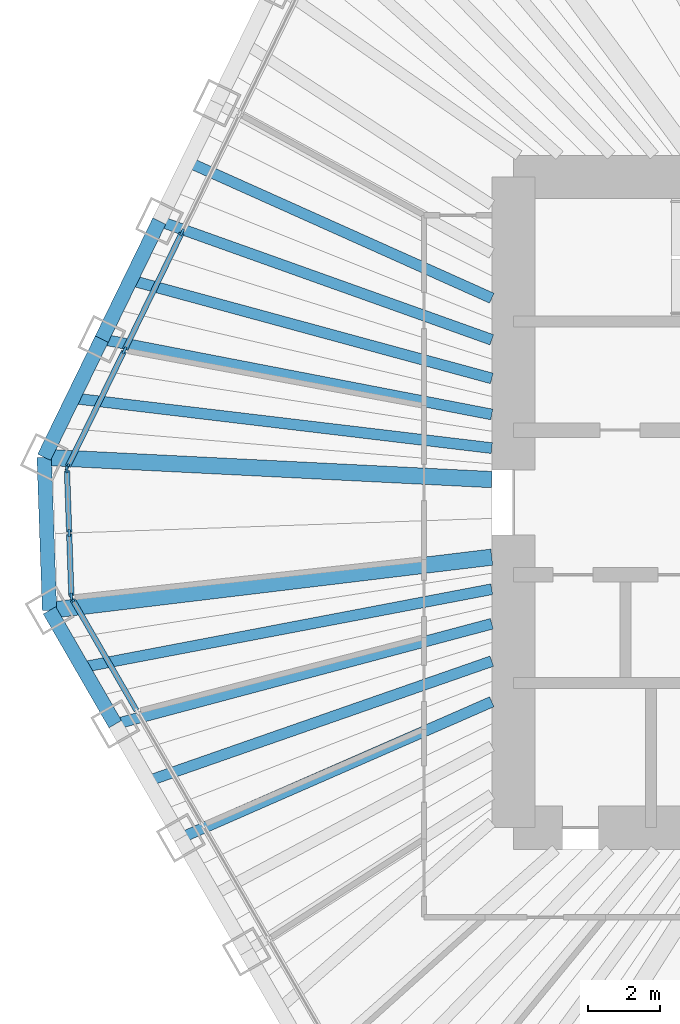
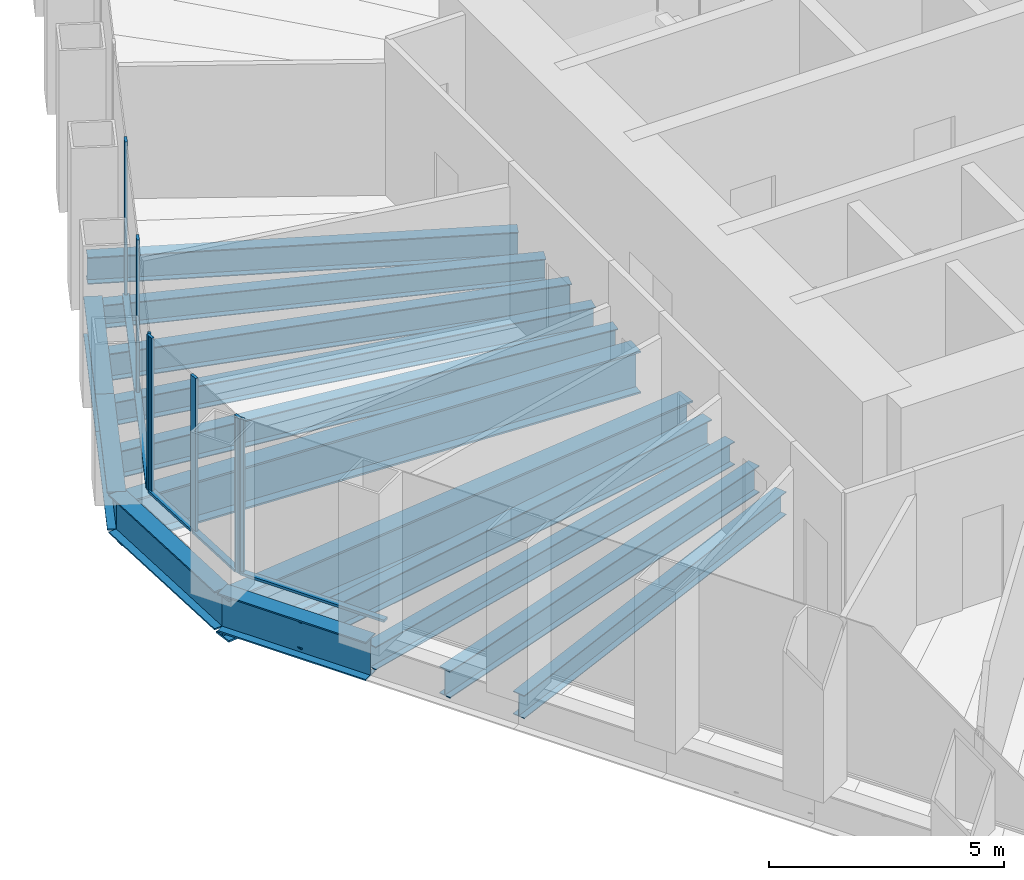
# One storey, part 3 of 14: 15 beams, 12 members, 3 elements without a shape of their own.
"""IFC4 building model written with IfcOpenShell, lengths in metres."""

from ifc_helpers import new_model, si_unit, direction, frame, origin, origin_2d, place, context, subcontext, project, spatial, rectangle, i_section, extrude, material, material_profile, profile_set, type_object, element, aggregate, save


model = new_model("IFC4")

# Units and contexts
model_context = context("Model", 3, precision=1e-05, world=origin(), true_north=direction((0.0, 1.0)))
body_context = subcontext(model_context, "Body", "Model", "MODEL_VIEW")
ifc_project = project(units=[si_unit("LENGTHUNIT", "METRE"), si_unit("AREAUNIT", "SQUARE_METRE"), si_unit("VOLUMEUNIT", "CUBIC_METRE"), si_unit("PLANEANGLEUNIT", "RADIAN"), si_unit("MASSUNIT", "GRAM", prefix="KILO")], contexts=[model_context])

# Site, building, storey
site_placement = place(None, origin())
site = spatial("IfcSite", under=ifc_project, at=site_placement, CompositionType="ELEMENT")
building_placement = place(site_placement, origin())
building = spatial("IfcBuilding", under=site, at=building_placement, Name="Qingtian Harvest Tower", CompositionType="ELEMENT")
storey_placement = place(building_placement, frame((0.0, 0.0, 239.199951171875)))
storey = spatial("IfcBuildingStorey", under=building, at=storey_placement, Name="L52", CompositionType="ELEMENT", Elevation=239.199951171875)

# Beams
ifc_material_1 = material(Name="Steel SM570MC", Category="steel")
ifc_material_profile_1 = material_profile(ifc_material_1, i_section(OverallWidth=0.449951171875, OverallDepth=1.10009765625, WebThickness=0.02197265625, FlangeThickness=0.044921875, at=origin_2d()), Name="H1100x450x22x45")
ifc_profile_set_1 = profile_set([ifc_material_profile_1], Name="Steel SM570MC")
beam_type_1 = type_object("IfcBeamType", Name="Corner floor beam FB8 H1100x450x22x45", PredefinedType="BEAM", material=ifc_profile_set_1)
beam_1_placement = place(storey_placement, frame((-24.833251953125, -2.987548828125, -0.719970703125), z_axis=(0.992841259631, 0.119441337798, 0.0), x_axis=(-0.119441337798, 0.992841259631, 0.0)))
element("IfcBeam", 1, at=beam_1_placement, inside=storey, type_object=beam_type_1, Name="Floor beam FB8 SW6", PredefinedType="BEAM", context=body_context, shape_type="SweptSolid", body=[
    extrude(i_section(OverallWidth=0.449951171875, OverallDepth=1.10009765625, WebThickness=0.02197265625, FlangeThickness=0.044921875, at=origin_2d()), origin(), (0.0, 0.0, 1.0), 12.3212890625),
])
beam_2_placement = place(storey_placement, frame((-24.981201171875, 1.248046875, -0.719970703125), z_axis=(0.998753959075, -0.049905202459, 0.0), x_axis=(0.049905202459, 0.998753959075, 0.0)))
element("IfcBeam", 2, at=beam_2_placement, inside=storey, type_object=beam_type_1, Name="Floor beam FB8 NW0", PredefinedType="BEAM", context=body_context, shape_type="SweptSolid", body=[
    extrude(i_section(OverallWidth=0.449951171875, OverallDepth=1.10009765625, WebThickness=0.02197265625, FlangeThickness=0.044921875, at=origin_2d()), origin(), (0.0, 0.0, 1.0), 12.396484375),
])
ifc_material_2 = material(Name="Steel SN490B", Category="steel")
ifc_material_profile_2 = material_profile(ifc_material_2, i_section(OverallWidth=0.300048828125, OverallDepth=0.60009765625, WebThickness=0.011962890625, FlangeThickness=0.02001953125, at=origin_2d()), Name="H600x300x12x20")
ifc_profile_set_2 = profile_set([ifc_material_profile_2], Name="Steel SN490B")
beam_type_2 = type_object("IfcBeamType", Name="Floor beam FB3 H600x300x12x20", PredefinedType="BEAM", material=ifc_profile_set_2)
beam_3_placement = place(storey_placement, frame((-21.19970703125, -9.281005859375, -0.469970703125), z_axis=(0.916057031544, 0.401048020765, 0.0), x_axis=(-0.401048020765, 0.916057031544, 0.0)))
element("IfcBeam", 3, at=beam_3_placement, inside=storey, type_object=beam_type_2, Name="Floor beam FB3 SW4", PredefinedType="BEAM", context=body_context, shape_type="SweptSolid", body=[
    extrude(i_section(OverallWidth=0.300048828125, OverallDepth=0.60009765625, WebThickness=0.011962890625, FlangeThickness=0.02001953125, at=origin_2d()), origin(), (0.0, 0.0, 1.0), 9.3876953125),
])
beam_4_placement = place(storey_placement, frame((-23.016357421875, -6.13427734375, -0.469970703125), z_axis=(0.966270640629, 0.257528734433, 0.0), x_axis=(-0.257528734433, 0.966270640629, 0.0)))
element("IfcBeam", 4, at=beam_4_placement, inside=storey, type_object=beam_type_2, Name="Floor beam FB3 SW5", PredefinedType="BEAM", context=body_context, shape_type="SweptSolid", body=[
    extrude(i_section(OverallWidth=0.300048828125, OverallDepth=0.60009765625, WebThickness=0.011962890625, FlangeThickness=0.02001953125, at=origin_2d()), origin(), (0.0, 0.0, 1.0), 10.77978515625),
])
beam_5_placement = place(storey_placement, frame((-23.388427734375, 4.513916015625, -0.469970703125), z_axis=(0.981878004162, -0.189514075845, 0.0), x_axis=(0.189514075845, 0.981878004162, 0.0)))
element("IfcBeam", 5, at=beam_5_placement, inside=storey, type_object=beam_type_2, Name="Floor beam FB3 NW1", PredefinedType="BEAM", context=body_context, shape_type="SweptSolid", body=[
    extrude(i_section(OverallWidth=0.300048828125, OverallDepth=0.60009765625, WebThickness=0.011962890625, FlangeThickness=0.02001953125, at=origin_2d()), origin(), (0.0, 0.0, 1.0), 10.987548828125),
])
beam_6_placement = place(storey_placement, frame((-21.79541015625, 7.779541015625, -0.469970703125), z_axis=(0.941800733255, -0.336171650857, 0.0), x_axis=(0.336171650857, 0.941800733255, 0.0)))
element("IfcBeam", 6, at=beam_6_placement, inside=storey, type_object=beam_type_2, Name="Floor beam FB3 NW2", PredefinedType="BEAM", context=body_context, shape_type="SweptSolid", body=[
    extrude(i_section(OverallWidth=0.300048828125, OverallDepth=0.60009765625, WebThickness=0.011962890625, FlangeThickness=0.02001953125, at=origin_2d()), origin(), (0.0, 0.0, 1.0), 9.763427734375),
])
ifc_material_3 = material(Name="Steel SN490B", Category="steel")
ifc_material_profile_3 = material_profile(ifc_material_3, i_section(OverallWidth=0.300048828125, OverallDepth=0.699951171875, WebThickness=0.012939453125, FlangeThickness=0.02392578125, at=origin_2d()), Name="H700x300x13x24")
ifc_profile_set_3 = profile_set([ifc_material_profile_3], Name="Steel SN490B")
beam_type_3 = type_object("IfcBeamType", Name="Floor joist J2 H700x300x13x24", PredefinedType="JOIST", material=ifc_profile_set_3)
beam_7_placement = place(storey_placement, frame((-22.108154296875, -7.707763671875, -0.52001953125), z_axis=(0.944256456951, 0.329210788868, 0.0), x_axis=(-0.329210788868, 0.944256456951, 0.0)))
element("IfcBeam", 7, at=beam_7_placement, inside=storey, type_object=beam_type_3, Name="Floor joist J2 SW4", PredefinedType="JOIST", context=body_context, shape_type="SweptSolid", body=[
    extrude(i_section(OverallWidth=0.300048828125, OverallDepth=0.699951171875, WebThickness=0.012939453125, FlangeThickness=0.02392578125, at=origin_2d()), origin(), (0.0, 0.0, 1.0), 10.0693359375),
])
beam_8_placement = place(storey_placement, frame((-23.9248046875, -4.56103515625, -0.52001953125), z_axis=(0.982309082743, 0.187266830912, 0.0), x_axis=(-0.187266830912, 0.982309082743, 0.0)))
element("IfcBeam", 8, at=beam_8_placement, inside=storey, type_object=beam_type_3, Name="Floor joist J2 SW5", PredefinedType="JOIST", context=body_context, shape_type="SweptSolid", body=[
    extrude(i_section(OverallWidth=0.300048828125, OverallDepth=0.699951171875, WebThickness=0.012939453125, FlangeThickness=0.02392578125, at=origin_2d()), origin(), (0.0, 0.0, 1.0), 11.528564453125),
])
beam_9_placement = place(storey_placement, frame((-24.184814453125, 2.880859375, -0.52001953125), z_axis=(0.992980727423, -0.11827626544, 0.0), x_axis=(0.11827626544, 0.992980727423, 0.0)))
element("IfcBeam", 9, at=beam_9_placement, inside=storey, type_object=beam_type_3, Name="Floor joist J2 NW0", PredefinedType="JOIST", context=body_context, shape_type="SweptSolid", body=[
    extrude(i_section(OverallWidth=0.300048828125, OverallDepth=0.699951171875, WebThickness=0.012939453125, FlangeThickness=0.02392578125, at=origin_2d()), origin(), (0.0, 0.0, 1.0), 11.66650390625),
])
beam_10_placement = place(storey_placement, frame((-22.591796875, 6.146728515625, -0.52001953125), z_axis=(0.964923062728, -0.26253282274, 0.0), x_axis=(0.26253282274, 0.964923062728, 0.0)))
element("IfcBeam", 10, at=beam_10_placement, inside=storey, type_object=beam_type_3, Name="Floor joist J2 NW1", PredefinedType="JOIST", context=body_context, shape_type="SweptSolid", body=[
    extrude(i_section(OverallWidth=0.300048828125, OverallDepth=0.699951171875, WebThickness=0.012939453125, FlangeThickness=0.02392578125, at=origin_2d()), origin(), (0.0, 0.0, 1.0), 10.35498046875),
])
beam_11_placement = place(storey_placement, frame((-20.9990234375, 9.41259765625, -0.52001953125), z_axis=(0.912515128421, -0.409042956671, 0.0), x_axis=(0.409042956671, 0.912515128421, 0.0)))
element("IfcBeam", 11, at=beam_11_placement, inside=storey, type_object=beam_type_3, Name="Floor joist J2 NW2", PredefinedType="JOIST", context=body_context, shape_type="SweptSolid", body=[
    extrude(i_section(OverallWidth=0.300048828125, OverallDepth=0.699951171875, WebThickness=0.012939453125, FlangeThickness=0.02392578125, at=origin_2d()), origin(), (0.0, 0.0, 1.0), 9.2041015625),
])

# Curtain wall, member
ifc_material_4 = material(Name="Bronze-anodised aluminium curtain wall", Category="aluminium")
curtain_wall_type = type_object("IfcCurtainWallType", Name="Curtain wall CW4 office", PredefinedType="USERDEFINED", material=ifc_material_4)
curtain_wall_1_placement = place(storey_placement, origin())
curtain_wall_1 = element("IfcCurtainWall", 12, at=curtain_wall_1_placement, inside=storey, type_object=curtain_wall_type, Name="Curtain wall CW4 L52 SW0-5", ObjectType="RECESSED CURTAIN WALL", PredefinedType="USERDEFINED")
ifc_material_5 = material(Name="Bronze-anodised aluminium mullion", Category="aluminium")
ifc_material_profile_4 = material_profile(ifc_material_5, rectangle(XDim=0.06494140625, YDim=0.199951171875, at=origin_2d()), Name="AL 65x200")
ifc_profile_set_4 = profile_set([ifc_material_profile_4], Name="Bronze-anodised aluminium mullion")
member_type_1 = type_object("IfcMemberType", Name="Mullion CWM 65x200", PredefinedType="MULLION", material=ifc_profile_set_4)
member_1_placement = place(storey_placement, frame((-24.210693359375, -2.665771484375, 0.0), z_axis=(0.0, 0.0, 1.0), x_axis=(-0.866025403784, -0.5, 0.0)))
member_1 = element("IfcMember", 13, at=member_1_placement, type_object=member_type_1, Name="CW4 mullion 7", PredefinedType="MULLION", context=body_context, shape_type="SweptSolid", body=[
    extrude(rectangle(XDim=0.06494140625, YDim=0.199951171875, at=origin_2d()), origin(), (0.0, 0.0, 1.0), 4.030029296875),
])

# Curtain wall, members
curtain_wall_2_placement = place(storey_placement, origin())
curtain_wall_2 = element("IfcCurtainWall", 14, at=curtain_wall_2_placement, inside=storey, type_object=curtain_wall_type, Name="Curtain wall CW4 L52 SWC", ObjectType="RECESSED CURTAIN WALL", PredefinedType="USERDEFINED")
member_2_placement = place(storey_placement, frame((-24.228271484375, -2.60498046875, 0.0), z_axis=(0.0, 0.0, 1.0), x_axis=(-0.999390827019, -0.034899496703, 0.0)))
member_2 = element("IfcMember", 15, at=member_2_placement, type_object=member_type_1, Name="CW4 mullion 1", PredefinedType="MULLION", context=body_context, shape_type="SweptSolid", body=[
    extrude(rectangle(XDim=0.06494140625, YDim=0.199951171875, at=origin_2d()), origin(), (0.0, 0.0, 1.0), 4.030029296875),
])
member_3_placement = place(storey_placement, frame((-24.28955078125, -0.84814453125, 0.0), z_axis=(0.0, 0.0, 1.0), x_axis=(-0.999390827019, -0.034899496703, 0.0)))
member_3 = element("IfcMember", 16, at=member_3_placement, type_object=member_type_1, Name="CW4 mullion 2", PredefinedType="MULLION", context=body_context, shape_type="SweptSolid", body=[
    extrude(rectangle(XDim=0.06494140625, YDim=0.199951171875, at=origin_2d()), origin(), (0.0, 0.0, 1.0), 4.030029296875),
])
member_4_placement = place(storey_placement, frame((-24.350830078125, 0.90869140625, 0.0), z_axis=(0.0, 0.0, 1.0), x_axis=(-0.999390827019, -0.034899496703, 0.0)))
member_4 = element("IfcMember", 17, at=member_4_placement, type_object=member_type_1, Name="CW4 mullion 3", PredefinedType="MULLION", context=body_context, shape_type="SweptSolid", body=[
    extrude(rectangle(XDim=0.06494140625, YDim=0.199951171875, at=origin_2d()), origin(), (0.0, 0.0, 1.0), 4.030029296875),
])

curtain_wall_3_placement = place(storey_placement, origin())
curtain_wall_3 = element("IfcCurtainWall", 18, at=curtain_wall_3_placement, inside=storey, type_object=curtain_wall_type, Name="Curtain wall CW4 L52 NW0-5", ObjectType="RECESSED CURTAIN WALL", PredefinedType="USERDEFINED")
member_5_placement = place(storey_placement, frame((-24.337646484375, 0.970458984375, 0.0), z_axis=(0.0, 0.0, 1.0), x_axis=(-0.898794046299, 0.438371146789, 0.0)))
member_5 = element("IfcMember", 19, at=member_5_placement, type_object=member_type_1, Name="CW4 mullion 1", PredefinedType="MULLION", context=body_context, shape_type="SweptSolid", body=[
    extrude(rectangle(XDim=0.06494140625, YDim=0.199951171875, at=origin_2d()), origin(), (0.0, 0.0, 1.0), 4.030029296875),
])
member_6_placement = place(storey_placement, frame((-22.759033203125, 4.20703125, 0.0), z_axis=(0.0, 0.0, 1.0), x_axis=(-0.898794046299, 0.438371146789, 0.0)))
member_6 = element("IfcMember", 20, at=member_6_placement, type_object=member_type_1, Name="CW4 mullion 2", PredefinedType="MULLION", context=body_context, shape_type="SweptSolid", body=[
    extrude(rectangle(XDim=0.06494140625, YDim=0.199951171875, at=origin_2d()), origin(), (0.0, 0.0, 1.0), 4.030029296875),
])
member_7_placement = place(storey_placement, frame((-21.166259765625, 7.47265625, 0.0), z_axis=(0.0, 0.0, 1.0), x_axis=(-0.898794046299, 0.438371146789, 0.0)))
member_7 = element("IfcMember", 21, at=member_7_placement, type_object=member_type_1, Name="CW4 mullion 3", PredefinedType="MULLION", context=body_context, shape_type="SweptSolid", body=[
    extrude(rectangle(XDim=0.06494140625, YDim=0.199951171875, at=origin_2d()), origin(), (0.0, 0.0, 1.0), 4.030029296875),
])

# Beams
ifc_material_6 = material(Name="Steel SN490B", Category="steel")
ifc_material_profile_5 = material_profile(ifc_material_6, i_section(OverallWidth=0.39990234375, OverallDepth=1.0, WebThickness=0.01904296875, FlangeThickness=0.035888671875, at=origin_2d()), Name="H1000x400x19x36")
ifc_profile_set_5 = profile_set([ifc_material_profile_5], Name="Steel SN490B")
beam_type_4 = type_object("IfcBeamType", Name="Spandrel beam SB3 H1000x400x19x36", PredefinedType="SPANDREL", material=ifc_profile_set_5)
beam_12_placement = place(storey_placement, frame((-23.016357421875, -6.13427734375, -0.5), z_axis=(-0.500026827678, 0.866009914263, 0.0), x_axis=(-0.866009914263, -0.500026827678, 0.0)))
element("IfcBeam", 22, at=beam_12_placement, inside=storey, type_object=beam_type_4, Name="Spandrel SB3 SW5", PredefinedType="SPANDREL", context=body_context, shape_type="SweptSolid", body=[
    extrude(i_section(OverallWidth=0.39990234375, OverallDepth=1.0, WebThickness=0.01904296875, FlangeThickness=0.035888671875, at=origin_2d()), origin(), (0.0, 0.0, 1.0), 3.633544921875),
])
beam_13_placement = place(storey_placement, frame((-24.833251953125, -2.987548828125, -0.5), z_axis=(-0.034908677553, 0.999390506375, 0.0), x_axis=(-0.999390506375, -0.034908677553, 0.0)))
element("IfcBeam", 23, at=beam_13_placement, inside=storey, type_object=beam_type_4, Name="Spandrel SB3 SWC", PredefinedType="SPANDREL", context=body_context, shape_type="SweptSolid", body=[
    extrude(i_section(OverallWidth=0.39990234375, OverallDepth=1.0, WebThickness=0.01904296875, FlangeThickness=0.035888671875, at=origin_2d()), origin(), (0.0, 0.0, 1.0), 4.23828125),
])
for number, where, z_axis, x_axis, name in (
    (24, (-24.981201171875, 1.248046875, -0.5), (0.438349498419, 0.898804604592, 0.0), (-0.898804604592, 0.438349498419, 0.0), "Spandrel SB3 NW0"),
    (25, (-23.388427734375, 4.513916015625, -0.5), (0.438430251153, 0.898765216769, 0.0), (-0.898765216769, 0.438430251153, 0.0), "Spandrel SB3 NW1"),
):
    element("IfcBeam", number, at=place(storey_placement, frame(where, z_axis=z_axis, x_axis=x_axis)), inside=storey, type_object=beam_type_4, Name=name, PredefinedType="SPANDREL", context=body_context, shape_type="SweptSolid", body=[
        extrude(i_section(OverallWidth=0.39990234375, OverallDepth=1.0, WebThickness=0.01904296875, FlangeThickness=0.035888671875, at=origin_2d()), origin(), (0.0, 0.0, 1.0), 3.633544921875),
    ])

# Member
ifc_material_7 = material(Name="Bronze-anodised aluminium transom", Category="aluminium")
ifc_material_profile_6 = material_profile(ifc_material_7, rectangle(XDim=0.14990234375, YDim=0.06494140625, at=origin_2d()), Name="AL 65x150")
ifc_profile_set_6 = profile_set([ifc_material_profile_6], Name="Bronze-anodised aluminium transom")
member_type_2 = type_object("IfcMemberType", Name="Transom CWT 65x150", PredefinedType="USERDEFINED", material=ifc_profile_set_6)
member_8_placement = place(storey_placement, frame((-22.426513671875, -5.756103515625, 0.032470703125), z_axis=(-0.500015305566, 0.866016566931, 0.0), x_axis=(-0.866016566931, -0.500015305566, 0.0)))
member_8 = element("IfcMember", 26, at=member_8_placement, type_object=member_type_2, Name="CW4 transom 6.1", ObjectType="TRANSOM", PredefinedType="USERDEFINED", context=body_context, shape_type="SweptSolid", body=[
    extrude(rectangle(XDim=0.14990234375, YDim=0.06494140625, at=origin_2d()), origin(), (0.0, 0.0, 1.0), 3.5361328125),
])

aggregate(curtain_wall_1, [member_1, member_8])

member_9_placement = place(storey_placement, frame((-24.229248046875, -2.572509765625, 0.032470703125), z_axis=(-0.034899362377, 0.99939083171, 0.0), x_axis=(-0.99939083171, -0.034899362377, 0.0)))
member_9 = element("IfcMember", 27, at=member_9_placement, type_object=member_type_2, Name="CW4 transom 1.1", ObjectType="TRANSOM", PredefinedType="USERDEFINED", context=body_context, shape_type="SweptSolid", body=[
    extrude(rectangle(XDim=0.14990234375, YDim=0.06494140625, at=origin_2d()), origin(), (0.0, 0.0, 1.0), 1.69287109375),
])

member_10_placement = place(storey_placement, frame((-24.29052734375, -0.815673828125, 0.032470703125), z_axis=(-0.034899362377, 0.99939083171, 0.0), x_axis=(-0.99939083171, -0.034899362377, 0.0)))
member_10 = element("IfcMember", 28, at=member_10_placement, type_object=member_type_2, Name="CW4 transom 2.1", ObjectType="TRANSOM", PredefinedType="USERDEFINED", context=body_context, shape_type="SweptSolid", body=[
    extrude(rectangle(XDim=0.14990234375, YDim=0.06494140625, at=origin_2d()), origin(), (0.0, 0.0, 1.0), 1.69287109375),
])

aggregate(curtain_wall_2, [member_2, member_3, member_4, member_9, member_10])

member_11_placement = place(storey_placement, frame((-24.323486328125, 0.99951171875, 0.032470703125), z_axis=(0.438354255898, 0.898802284341, 0.0), x_axis=(-0.898802284341, 0.438354255898, 0.0)))
member_11 = element("IfcMember", 29, at=member_11_placement, type_object=member_type_2, Name="CW4 transom 1.1", ObjectType="TRANSOM", PredefinedType="USERDEFINED", context=body_context, shape_type="SweptSolid", body=[
    extrude(rectangle(XDim=0.14990234375, YDim=0.06494140625, at=origin_2d()), origin(), (0.0, 0.0, 1.0), 3.5361328125),
])

member_12_placement = place(storey_placement, frame((-22.744873046875, 4.236083984375, 0.032470703125), z_axis=(0.438325233634, 0.89881643819, 0.0), x_axis=(-0.89881643819, 0.438325233634, 0.0)))
member_12 = element("IfcMember", 30, at=member_12_placement, type_object=member_type_2, Name="CW4 transom 2.1", ObjectType="TRANSOM", PredefinedType="USERDEFINED", context=body_context, shape_type="SweptSolid", body=[
    extrude(rectangle(XDim=0.14990234375, YDim=0.06494140625, at=origin_2d()), origin(), (0.0, 0.0, 1.0), 3.568603515625),
])

aggregate(curtain_wall_3, [member_5, member_6, member_7, member_11, member_12])

save(model, "model.ifc")
